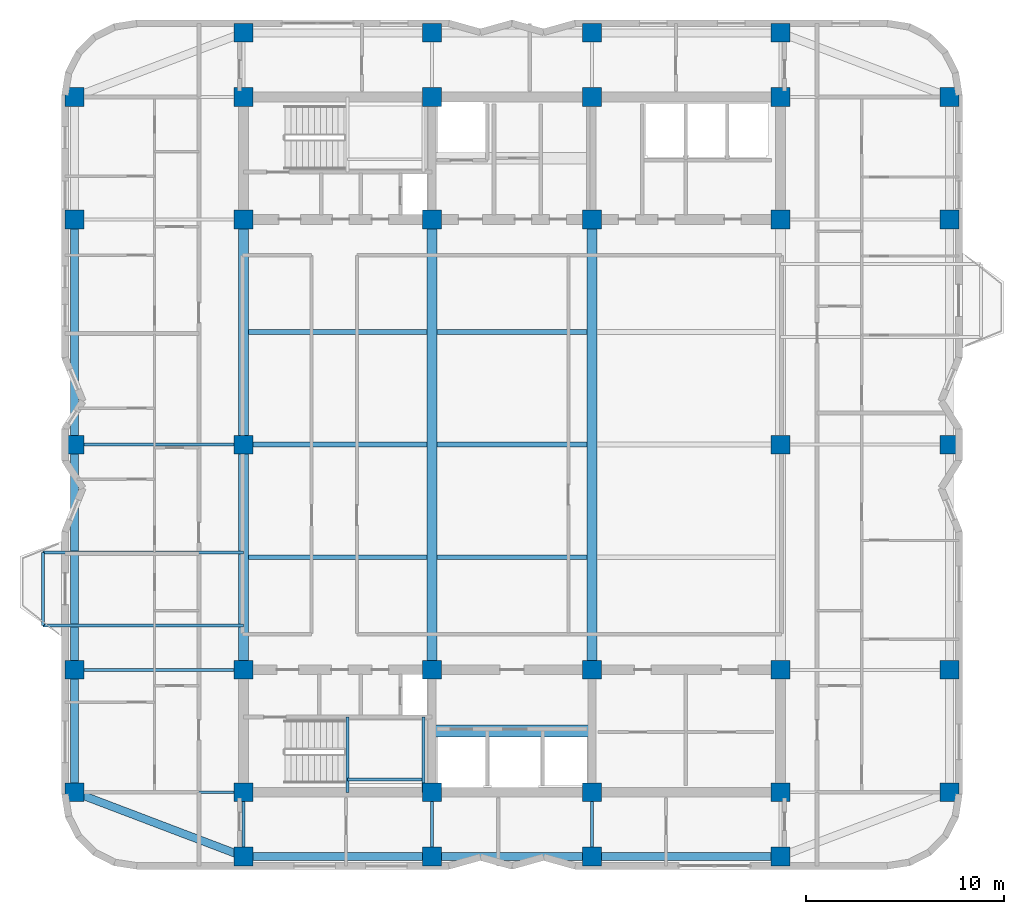
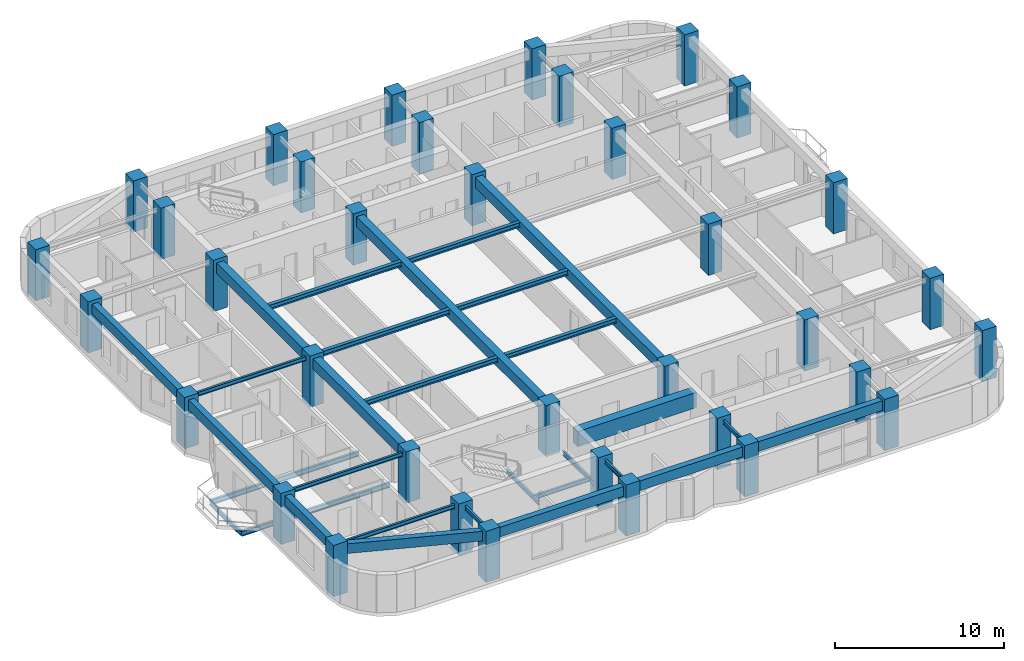
# One storey, part 1 of 12: 36 columns, 30 beams.
"""IFC4 building model written with IfcOpenShell, lengths in metres."""

from ifc_helpers import new_model, si_unit, direction, frame, origin, origin_2d, place, context, subcontext, project, spatial, rectangle, i_section, extrude, material, material_profile, profile_set, type_object, element, save


model = new_model("IFC4")

# Units and contexts
model_context = context("Model", 3, precision=1e-05, world=origin(), true_north=direction((0.0, 1.0)))
body_context = subcontext(model_context, "Body", "Model", "MODEL_VIEW")
ifc_project = project(units=[si_unit("LENGTHUNIT", "METRE"), si_unit("AREAUNIT", "SQUARE_METRE"), si_unit("VOLUMEUNIT", "CUBIC_METRE"), si_unit("PLANEANGLEUNIT", "RADIAN"), si_unit("MASSUNIT", "GRAM", prefix="KILO")], contexts=[model_context])

# Site, building, storey
site_placement = place(None, origin())
site = spatial("IfcSite", under=ifc_project, at=site_placement, CompositionType="ELEMENT")
building_placement = place(site_placement, origin())
building = spatial("IfcBuilding", under=site, at=building_placement, Name="Svetorya Sky Lyceum", CompositionType="ELEMENT")
storey_placement = place(building_placement, frame((0.0, 0.0, 158.89990234375)))
storey = spatial("IfcBuildingStorey", under=building, at=storey_placement, Name="L39", CompositionType="ELEMENT", Elevation=158.89990234375)

# Columns
ifc_material_1 = material(Name="Concrete C50/60", Category="concrete")
ifc_material_profile_1 = material_profile(ifc_material_1, rectangle(XDim=0.949951171875, YDim=0.949951171875, at=origin_2d()), Name="RC COL 950x950")
ifc_profile_set_1 = profile_set([ifc_material_profile_1], Name="Concrete C50/60")
column_type = type_object("IfcColumnType", Name="COL-RC-950", PredefinedType="COLUMN", material=ifc_profile_set_1)
for number, where, z_axis, x_axis, name in (
    (1, (25.60009765625, 10.60009765625, 0.0), (0.0, 0.0, 1.0), (1.0, 0.0, 0.0), "L39 Core Column CS-11"),
    (2, (25.60009765625, 16.800048828125, 0.0), (0.0, 0.0, 1.0), (1.0, 0.0, 0.0), "L39 Core Column CS-12"),
    (3, (35.14990234375, 10.60009765625, 0.0), (0.0, 0.0, 1.0), (1.0, 0.0, 0.0), "L39 Core Column CS-21"),
    (4, (35.14990234375, 16.800048828125, 0.0), (0.0, 0.0, 1.0), (1.0, 0.0, 0.0), "L39 Core Column CS-22"),
    (5, (43.25, 10.60009765625, 0.0), (0.0, 0.0, 1.0), (1.0, 0.0, 0.0), "L39 Core Column CS-31"),
    (6, (43.25, 16.800048828125, 0.0), (0.0, 0.0, 1.0), (1.0, 0.0, 0.0), "L39 Core Column CS-32"),
    (7, (52.800048828125, 10.60009765625, 0.0), (0.0, 0.0, 1.0), (1.0, 0.0, 0.0), "L39 Core Column CS-41"),
    (8, (52.800048828125, 16.800048828125, 0.0), (0.0, 0.0, 1.0), (1.0, 0.0, 0.0), "L39 Core Column CS-42"),
    (9, (25.60009765625, 39.60009765625, 0.0), (0.0, 0.0, 1.0), (1.0, 0.0, 0.0), "L39 Core Column CN-11"),
    (10, (25.60009765625, 45.800048828125, 0.0), (0.0, 0.0, 1.0), (1.0, 0.0, 0.0), "L39 Core Column CN-12"),
    (11, (35.14990234375, 39.60009765625, 0.0), (0.0, 0.0, 1.0), (1.0, 0.0, 0.0), "L39 Core Column CN-21"),
    (12, (35.14990234375, 45.800048828125, 0.0), (0.0, 0.0, 1.0), (1.0, 0.0, 0.0), "L39 Core Column CN-22"),
    (13, (43.25, 39.60009765625, 0.0), (0.0, 0.0, 1.0), (1.0, 0.0, 0.0), "L39 Core Column CN-31"),
    (14, (43.25, 45.800048828125, 0.0), (0.0, 0.0, 1.0), (1.0, 0.0, 0.0), "L39 Core Column CN-32"),
    (15, (52.800048828125, 39.60009765625, 0.0), (0.0, 0.0, 1.0), (1.0, 0.0, 0.0), "L39 Core Column CN-41"),
    (16, (52.800048828125, 45.800048828125, 0.0), (0.0, 0.0, 1.0), (1.0, 0.0, 0.0), "L39 Core Column CN-42"),
    (17, (25.60009765625, 28.199951171875, 0.0), (0.0, 0.0, 1.0), (1.0, 0.0, 0.0), "L39 Core Column CM-W"),
    (18, (52.800048828125, 28.199951171875, 0.0), (0.0, 0.0, 1.0), (1.0, 0.0, 0.0), "L39 Core Column CM-E"),
    (19, (25.60009765625, 7.35009765625, 0.0), (0.0, 0.0, 1.0), (1.0, 0.0, 0.0), "L39 Perimeter Column S1"),
    (20, (25.60009765625, 49.050048828125, 0.0), (0.0, 0.0, 1.0), (1.0, 0.0, 0.0), "L39 Perimeter Column N1"),
    (21, (35.14990234375, 7.35009765625, 0.0), (0.0, 0.0, 1.0), (1.0, 0.0, 0.0), "L39 Perimeter Column S2"),
    (22, (35.14990234375, 49.050048828125, 0.0), (0.0, 0.0, 1.0), (1.0, 0.0, 0.0), "L39 Perimeter Column N2"),
    (23, (43.25, 7.35009765625, 0.0), (0.0, 0.0, 1.0), (1.0, 0.0, 0.0), "L39 Perimeter Column S3"),
    (24, (43.25, 49.050048828125, 0.0), (0.0, 0.0, 1.0), (1.0, 0.0, 0.0), "L39 Perimeter Column N3"),
    (25, (52.800048828125, 7.35009765625, 0.0), (0.0, 0.0, 1.0), (1.0, 0.0, 0.0), "L39 Perimeter Column S4"),
    (26, (52.800048828125, 49.050048828125, 0.0), (0.0, 0.0, 1.0), (1.0, 0.0, 0.0), "L39 Perimeter Column N4"),
    (27, (17.050048828125, 10.60009765625, 0.0), (0.0, 0.0, 1.0), (1.0, 0.0, 0.0), "L39 Perimeter Column W1"),
    (28, (61.35009765625, 10.60009765625, 0.0), (0.0, 0.0, 1.0), (1.0, 0.0, 0.0), "L39 Perimeter Column E1"),
    (29, (17.050048828125, 16.800048828125, 0.0), (0.0, 0.0, 1.0), (1.0, 0.0, 0.0), "L39 Perimeter Column W2"),
    (30, (61.35009765625, 16.800048828125, 0.0), (0.0, 0.0, 1.0), (1.0, 0.0, 0.0), "L39 Perimeter Column E2"),
    (31, (17.050048828125, 28.199951171875, 0.0), (0.0, 0.0, 1.0), (1.0, 0.0, 0.0), "L39 Perimeter Column W3"),
    (32, (61.35009765625, 28.199951171875, 0.0), (0.0, 0.0, 1.0), (1.0, 0.0, 0.0), "L39 Perimeter Column E3"),
    (33, (17.050048828125, 39.60009765625, 0.0), (0.0, 0.0, 1.0), (1.0, 0.0, 0.0), "L39 Perimeter Column W4"),
    (34, (61.35009765625, 39.60009765625, 0.0), (0.0, 0.0, 1.0), (1.0, 0.0, 0.0), "L39 Perimeter Column E4"),
    (35, (17.050048828125, 45.800048828125, 0.0), (0.0, 0.0, 1.0), (1.0, 0.0, 0.0), "L39 Perimeter Column W5"),
    (36, (61.35009765625, 45.800048828125, 0.0), (0.0, 0.0, 1.0), (1.0, 0.0, 0.0), "L39 Perimeter Column E5"),
):
    element("IfcColumn", number, at=place(storey_placement, frame(where, z_axis=z_axis, x_axis=x_axis)), inside=storey, type_object=column_type, Name=name, PredefinedType="COLUMN", context=body_context, shape_type="SweptSolid", body=[
        extrude(rectangle(XDim=0.949951171875, YDim=0.949951171875, at=origin_2d()), origin(), (0.0, 0.0, 1.0), 3.7001953125),
    ])

# Beams
ifc_material_2 = material(Name="Concrete C60/75", Category="concrete")
ifc_material_profile_2 = material_profile(ifc_material_2, rectangle(XDim=0.60009765625, YDim=1.10009765625, at=origin_2d()), Name="RC COUPLING 600x1100")
ifc_profile_set_2 = profile_set([ifc_material_profile_2], Name="Concrete C60/75")
beam_type_1 = type_object("IfcBeamType", Name="BM-CPL-1100", PredefinedType="LINTEL", material=ifc_profile_set_2)
beam_1_placement = place(storey_placement, frame((35.14990234375, 13.699951171875, 2.89013671875), z_axis=(1.0, 0.0, 0.0), x_axis=(0.0, 1.0, 0.0)))
element("IfcBeam", 37, at=beam_1_placement, inside=storey, type_object=beam_type_1, Name="L39 SC Core Coupling Beam", PredefinedType="LINTEL", context=body_context, shape_type="SweptSolid", body=[
    extrude(rectangle(XDim=0.60009765625, YDim=1.10009765625, at=origin_2d()), origin(), (0.0, 0.0, 1.0), 8.10009765625),
])
ifc_material_profile_3 = material_profile(ifc_material_1, rectangle(XDim=0.5, YDim=0.75, at=origin_2d()), Name="RC BEAM 500x750")
ifc_profile_set_3 = profile_set([ifc_material_profile_3], Name="Concrete C50/60")
beam_type_2 = type_object("IfcBeamType", Name="BM-RC-750", PredefinedType="BEAM", material=ifc_profile_set_3)
beam_2_placement = place(storey_placement, frame((25.60009765625, 16.800048828125, 3.065185546875), z_axis=(0.0, 1.0, 0.0), x_axis=(-1.0, 0.0, 0.0)))
element("IfcBeam", 38, at=beam_2_placement, inside=storey, type_object=beam_type_2, Name="L39 Central Bay Primary Girder CG-1A", PredefinedType="BEAM", context=body_context, shape_type="SweptSolid", body=[
    extrude(rectangle(XDim=0.5, YDim=0.75, at=origin_2d()), origin(), (0.0, 0.0, 1.0), 11.39990234375),
])
beam_3_placement = place(storey_placement, frame((25.60009765625, 28.199951171875, 3.065185546875), z_axis=(0.0, 1.0, 0.0), x_axis=(-1.0, 0.0, 0.0)))
element("IfcBeam", 39, at=beam_3_placement, inside=storey, type_object=beam_type_2, Name="L39 Central Bay Primary Girder CG-1B", PredefinedType="BEAM", context=body_context, shape_type="SweptSolid", body=[
    extrude(rectangle(XDim=0.5, YDim=0.75, at=origin_2d()), origin(), (0.0, 0.0, 1.0), 11.400146484375),
])
for number, where, z_axis, x_axis, name in (
    (40, (35.14990234375, 16.800048828125, 3.065185546875), (0.0, 1.0, 0.0), (-1.0, 0.0, 0.0), "L39 Central Bay Primary Girder CG-2"),
    (41, (43.25, 16.800048828125, 3.065185546875), (0.0, 1.0, 0.0), (-1.0, 0.0, 0.0), "L39 Central Bay Primary Girder CG-3"),
):
    element("IfcBeam", number, at=place(storey_placement, frame(where, z_axis=z_axis, x_axis=x_axis)), inside=storey, type_object=beam_type_2, Name=name, PredefinedType="BEAM", context=body_context, shape_type="SweptSolid", body=[
        extrude(rectangle(XDim=0.5, YDim=0.75, at=origin_2d()), origin(), (0.0, 0.0, 1.0), 22.800048828125),
    ])
ifc_material_profile_4 = material_profile(ifc_material_1, rectangle(XDim=0.39990234375, YDim=0.699951171875, at=origin_2d()), Name="RC SPANDREL 400x700")
ifc_profile_set_4 = profile_set([ifc_material_profile_4], Name="Concrete C50/60")
beam_type_3 = type_object("IfcBeamType", Name="BM-SPN-700", PredefinedType="SPANDREL", material=ifc_profile_set_4)
beam_4_placement = place(storey_placement, frame((25.60009765625, 7.35009765625, 3.090087890625), z_axis=(1.0, 0.0, 0.0), x_axis=(0.0, 1.0, 0.0)))
element("IfcBeam", 42, at=beam_4_placement, inside=storey, type_object=beam_type_3, Name="L39 South Spandrel 1", PredefinedType="SPANDREL", context=body_context, shape_type="SweptSolid", body=[
    extrude(rectangle(XDim=0.39990234375, YDim=0.699951171875, at=origin_2d()), origin(), (0.0, 0.0, 1.0), 9.5498046875),
])
beam_5_placement = place(storey_placement, frame((35.14990234375, 7.35009765625, 3.090087890625), z_axis=(1.0, 0.0, 0.0), x_axis=(0.0, 1.0, 0.0)))
element("IfcBeam", 43, at=beam_5_placement, inside=storey, type_object=beam_type_3, Name="L39 South Spandrel 2", PredefinedType="SPANDREL", context=body_context, shape_type="SweptSolid", body=[
    extrude(rectangle(XDim=0.39990234375, YDim=0.699951171875, at=origin_2d()), origin(), (0.0, 0.0, 1.0), 8.10009765625),
])
beam_6_placement = place(storey_placement, frame((43.25, 7.35009765625, 3.090087890625), z_axis=(1.0, 0.0, 0.0), x_axis=(0.0, 1.0, 0.0)))
element("IfcBeam", 44, at=beam_6_placement, inside=storey, type_object=beam_type_3, Name="L39 South Spandrel 3", PredefinedType="SPANDREL", context=body_context, shape_type="SweptSolid", body=[
    extrude(rectangle(XDim=0.39990234375, YDim=0.699951171875, at=origin_2d()), origin(), (0.0, 0.0, 1.0), 9.550048828125),
])
beam_7_placement = place(storey_placement, frame((25.60009765625, 7.35009765625, 3.090087890625), z_axis=(-0.934747947367, 0.355311518099, 0.0), x_axis=(-0.355311518099, -0.934747947367, 0.0)))
element("IfcBeam", 45, at=beam_7_placement, inside=storey, type_object=beam_type_3, Name="L39 Corner Spandrel 1", PredefinedType="SPANDREL", context=body_context, shape_type="SweptSolid", body=[
    extrude(rectangle(XDim=0.39990234375, YDim=0.699951171875, at=origin_2d()), origin(), (0.0, 0.0, 1.0), 9.14697265625),
])
beam_8_placement = place(storey_placement, frame((17.050048828125, 10.60009765625, 3.090087890625), z_axis=(0.0, 1.0, 0.0), x_axis=(-1.0, 0.0, 0.0)))
element("IfcBeam", 46, at=beam_8_placement, inside=storey, type_object=beam_type_3, Name="L39 West Spandrel 1", PredefinedType="SPANDREL", context=body_context, shape_type="SweptSolid", body=[
    extrude(rectangle(XDim=0.39990234375, YDim=0.699951171875, at=origin_2d()), origin(), (0.0, 0.0, 1.0), 6.199951171875),
])
beam_9_placement = place(storey_placement, frame((17.050048828125, 16.800048828125, 3.090087890625), z_axis=(0.0, 1.0, 0.0), x_axis=(-1.0, 0.0, 0.0)))
element("IfcBeam", 47, at=beam_9_placement, inside=storey, type_object=beam_type_3, Name="L39 West Spandrel 2", PredefinedType="SPANDREL", context=body_context, shape_type="SweptSolid", body=[
    extrude(rectangle(XDim=0.39990234375, YDim=0.699951171875, at=origin_2d()), origin(), (0.0, 0.0, 1.0), 11.39990234375),
])
beam_10_placement = place(storey_placement, frame((17.050048828125, 28.199951171875, 3.090087890625), z_axis=(0.0, 1.0, 0.0), x_axis=(-1.0, 0.0, 0.0)))
element("IfcBeam", 48, at=beam_10_placement, inside=storey, type_object=beam_type_3, Name="L39 West Spandrel 3", PredefinedType="SPANDREL", context=body_context, shape_type="SweptSolid", body=[
    extrude(rectangle(XDim=0.39990234375, YDim=0.699951171875, at=origin_2d()), origin(), (0.0, 0.0, 1.0), 11.400146484375),
])
ifc_material_3 = material(Name="Steel S355", Category="steel")
ifc_material_profile_5 = material_profile(ifc_material_3, i_section(OverallWidth=0.14990234375, OverallDepth=0.299072265625, WebThickness=0.006591796875, FlangeThickness=0.010498046875, at=origin_2d()), Name="GOST 30B2")
ifc_profile_set_5 = profile_set([ifc_material_profile_5], Name="Steel S355")
beam_type_4 = type_object("IfcBeamType", Name="BM-STL-30B2", PredefinedType="JOIST", material=ifc_profile_set_5)
beam_11_placement = place(storey_placement, frame((15.449951171875, 19.050048828125, -0.434326171875), z_axis=(0.0, 1.0, 0.0), x_axis=(-1.0, 0.0, 0.0)))
element("IfcBeam", 49, at=beam_11_placement, inside=storey, type_object=beam_type_4, Name="L39 Balcony Edge Tie BAL-W1", PredefinedType="JOIST", context=body_context, shape_type="SweptSolid", body=[
    extrude(i_section(OverallWidth=0.14990234375, OverallDepth=0.299072265625, WebThickness=0.006591796875, FlangeThickness=0.010498046875, at=origin_2d()), origin(), (0.0, 0.0, 1.0), 3.699951171875),
])
for number, where, z_axis, x_axis, name in (
    (50, (17.050048828125, 10.60009765625, 3.29052734375), (1.0, 0.0, 0.0), (0.0, 1.0, 0.0), "L39 West Wing Floor Joist W1"),
    (51, (17.050048828125, 16.800048828125, 3.29052734375), (1.0, 0.0, 0.0), (0.0, 1.0, 0.0), "L39 West Wing Floor Joist W2"),
    (52, (17.050048828125, 28.199951171875, 3.29052734375), (1.0, 0.0, 0.0), (0.0, 1.0, 0.0), "L39 West Wing Floor Joist W3"),
):
    element("IfcBeam", number, at=place(storey_placement, frame(where, z_axis=z_axis, x_axis=x_axis)), inside=storey, type_object=beam_type_4, Name=name, PredefinedType="JOIST", context=body_context, shape_type="SweptSolid", body=[
        extrude(i_section(OverallWidth=0.14990234375, OverallDepth=0.299072265625, WebThickness=0.006591796875, FlangeThickness=0.010498046875, at=origin_2d()), origin(), (0.0, 0.0, 1.0), 8.550048828125),
    ])
for number, where, z_axis, x_axis, name in (
    (53, (25.60009765625, 7.35009765625, 3.29052734375), (0.0, 1.0, 0.0), (-1.0, 0.0, 0.0), "L39 South Bay Floor Girder S1"),
    (54, (35.14990234375, 7.35009765625, 3.29052734375), (0.0, 1.0, 0.0), (-1.0, 0.0, 0.0), "L39 South Bay Floor Girder S2"),
    (55, (43.25, 7.35009765625, 3.29052734375), (0.0, 1.0, 0.0), (-1.0, 0.0, 0.0), "L39 South Bay Floor Girder S3"),
):
    element("IfcBeam", number, at=place(storey_placement, frame(where, z_axis=z_axis, x_axis=x_axis)), inside=storey, type_object=beam_type_4, Name=name, PredefinedType="JOIST", context=body_context, shape_type="SweptSolid", body=[
        extrude(i_section(OverallWidth=0.14990234375, OverallDepth=0.299072265625, WebThickness=0.006591796875, FlangeThickness=0.010498046875, at=origin_2d()), origin(), (0.0, 0.0, 1.0), 3.25),
    ])
for number, where, z_axis, x_axis, name in (
    (56, (30.8798828125, 10.60009765625, 1.50048828125), (0.0, 1.0, 0.0), (-1.0, 0.0, 0.0), "L39 Stair ST-S Half-Landing Support Beam 45.1"),
    (57, (34.719970703125, 10.60009765625, 1.50048828125), (0.0, 1.0, 0.0), (-1.0, 0.0, 0.0), "L39 Stair ST-S Half-Landing Support Beam 45.2"),
):
    element("IfcBeam", number, at=place(storey_placement, frame(where, z_axis=z_axis, x_axis=x_axis)), inside=storey, type_object=beam_type_4, Name=name, PredefinedType="JOIST", context=body_context, shape_type="SweptSolid", body=[
        extrude(i_section(OverallWidth=0.14990234375, OverallDepth=0.299072265625, WebThickness=0.006591796875, FlangeThickness=0.010498046875, at=origin_2d()), origin(), (0.0, 0.0, 1.0), 3.7998046875),
    ])
beam_12_placement = place(storey_placement, frame((30.8798828125, 11.25, 1.50048828125), z_axis=(1.0, 0.0, 0.0), x_axis=(0.0, 1.0, 0.0)))
element("IfcBeam", 58, at=beam_12_placement, inside=storey, type_object=beam_type_4, Name="L39 Stair ST-S Half-Landing Cross Tie 45", PredefinedType="JOIST", context=body_context, shape_type="SweptSolid", body=[
    extrude(i_section(OverallWidth=0.14990234375, OverallDepth=0.299072265625, WebThickness=0.006591796875, FlangeThickness=0.010498046875, at=origin_2d()), origin(), (0.0, 0.0, 1.0), 3.840087890625),
])
ifc_material_profile_6 = material_profile(ifc_material_3, i_section(OverallWidth=0.155029296875, OverallDepth=0.34912109375, WebThickness=0.007080078125, FlangeThickness=0.011474609375, at=origin_2d()), Name="GOST 35B2")
ifc_profile_set_6 = profile_set([ifc_material_profile_6], Name="Steel S355")
beam_type_5 = type_object("IfcBeamType", Name="BM-STL-35B2", PredefinedType="JOIST", material=ifc_profile_set_6)
for number, where, z_axis, x_axis, name in (
    (59, (25.60009765625, 19.050048828125, -0.434326171875), (-1.0, 0.0, 0.0), (0.0, -1.0, 0.0), "L39 Balcony Cantilever Beam BAL-W1-1"),
    (60, (25.60009765625, 22.75, -0.434326171875), (-1.0, 0.0, 0.0), (0.0, -1.0, 0.0), "L39 Balcony Cantilever Beam BAL-W1-2"),
):
    element("IfcBeam", number, at=place(storey_placement, frame(where, z_axis=z_axis, x_axis=x_axis)), inside=storey, type_object=beam_type_5, Name=name, PredefinedType="JOIST", context=body_context, shape_type="SweptSolid", body=[
        extrude(i_section(OverallWidth=0.155029296875, OverallDepth=0.34912109375, WebThickness=0.007080078125, FlangeThickness=0.011474609375, at=origin_2d()), origin(), (0.0, 0.0, 1.0), 10.150146484375),
    ])
ifc_material_profile_7 = material_profile(ifc_material_3, i_section(OverallWidth=0.25, OverallDepth=0.345947265625, WebThickness=0.009521484375, FlangeThickness=0.014404296875, at=origin_2d()), Name="GOST 35Sh2")
ifc_profile_set_7 = profile_set([ifc_material_profile_7], Name="Steel S355")
beam_type_6 = type_object("IfcBeamType", Name="BM-STL-35SH2", PredefinedType="BEAM", material=ifc_profile_set_7)
beam_13_placement = place(storey_placement, frame((25.85009765625, 22.5, 3.26708984375), z_axis=(1.0, 0.0, 0.0), x_axis=(0.0, 1.0, 0.0)))
element("IfcBeam", 61, at=beam_13_placement, inside=storey, type_object=beam_type_6, Name="L39 Central Floor Joist CJ-1.1", PredefinedType="BEAM", context=body_context, shape_type="SweptSolid", body=[
    extrude(i_section(OverallWidth=0.25, OverallDepth=0.345947265625, WebThickness=0.009521484375, FlangeThickness=0.014404296875, at=origin_2d()), origin(), (0.0, 0.0, 1.0), 9.0498046875),
])
beam_14_placement = place(storey_placement, frame((35.39990234375, 22.5, 3.26708984375), z_axis=(1.0, 0.0, 0.0), x_axis=(0.0, 1.0, 0.0)))
element("IfcBeam", 62, at=beam_14_placement, inside=storey, type_object=beam_type_6, Name="L39 Central Floor Joist CJ-1.2", PredefinedType="BEAM", context=body_context, shape_type="SweptSolid", body=[
    extrude(i_section(OverallWidth=0.25, OverallDepth=0.345947265625, WebThickness=0.009521484375, FlangeThickness=0.014404296875, at=origin_2d()), origin(), (0.0, 0.0, 1.0), 7.60009765625),
])
beam_15_placement = place(storey_placement, frame((25.85009765625, 28.199951171875, 3.26708984375), z_axis=(1.0, 0.0, 0.0), x_axis=(0.0, 1.0, 0.0)))
element("IfcBeam", 63, at=beam_15_placement, inside=storey, type_object=beam_type_6, Name="L39 Central Floor Joist CJ-2.1", PredefinedType="BEAM", context=body_context, shape_type="SweptSolid", body=[
    extrude(i_section(OverallWidth=0.25, OverallDepth=0.345947265625, WebThickness=0.009521484375, FlangeThickness=0.014404296875, at=origin_2d()), origin(), (0.0, 0.0, 1.0), 9.0498046875),
])
beam_16_placement = place(storey_placement, frame((35.39990234375, 28.199951171875, 3.26708984375), z_axis=(1.0, 0.0, 0.0), x_axis=(0.0, 1.0, 0.0)))
element("IfcBeam", 64, at=beam_16_placement, inside=storey, type_object=beam_type_6, Name="L39 Central Floor Joist CJ-2.2", PredefinedType="BEAM", context=body_context, shape_type="SweptSolid", body=[
    extrude(i_section(OverallWidth=0.25, OverallDepth=0.345947265625, WebThickness=0.009521484375, FlangeThickness=0.014404296875, at=origin_2d()), origin(), (0.0, 0.0, 1.0), 7.60009765625),
])
beam_17_placement = place(storey_placement, frame((25.85009765625, 33.89990234375, 3.26708984375), z_axis=(1.0, 0.0, 0.0), x_axis=(0.0, 1.0, 0.0)))
element("IfcBeam", 65, at=beam_17_placement, inside=storey, type_object=beam_type_6, Name="L39 Central Floor Joist CJ-3.1", PredefinedType="BEAM", context=body_context, shape_type="SweptSolid", body=[
    extrude(i_section(OverallWidth=0.25, OverallDepth=0.345947265625, WebThickness=0.009521484375, FlangeThickness=0.014404296875, at=origin_2d()), origin(), (0.0, 0.0, 1.0), 9.0498046875),
])
beam_18_placement = place(storey_placement, frame((35.39990234375, 33.89990234375, 3.26708984375), z_axis=(1.0, 0.0, 0.0), x_axis=(0.0, 1.0, 0.0)))
element("IfcBeam", 66, at=beam_18_placement, inside=storey, type_object=beam_type_6, Name="L39 Central Floor Joist CJ-3.2", PredefinedType="BEAM", context=body_context, shape_type="SweptSolid", body=[
    extrude(i_section(OverallWidth=0.25, OverallDepth=0.345947265625, WebThickness=0.009521484375, FlangeThickness=0.014404296875, at=origin_2d()), origin(), (0.0, 0.0, 1.0), 7.60009765625),
])

save(model, "model.ifc")
